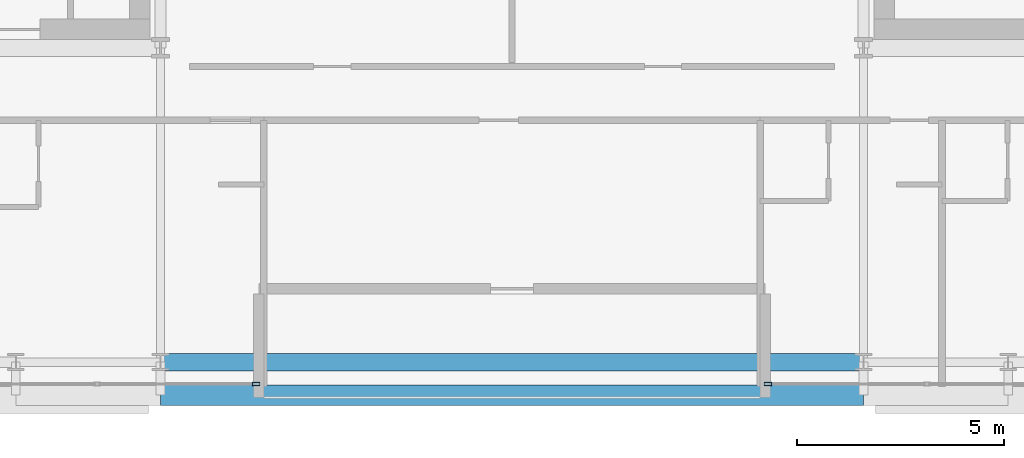
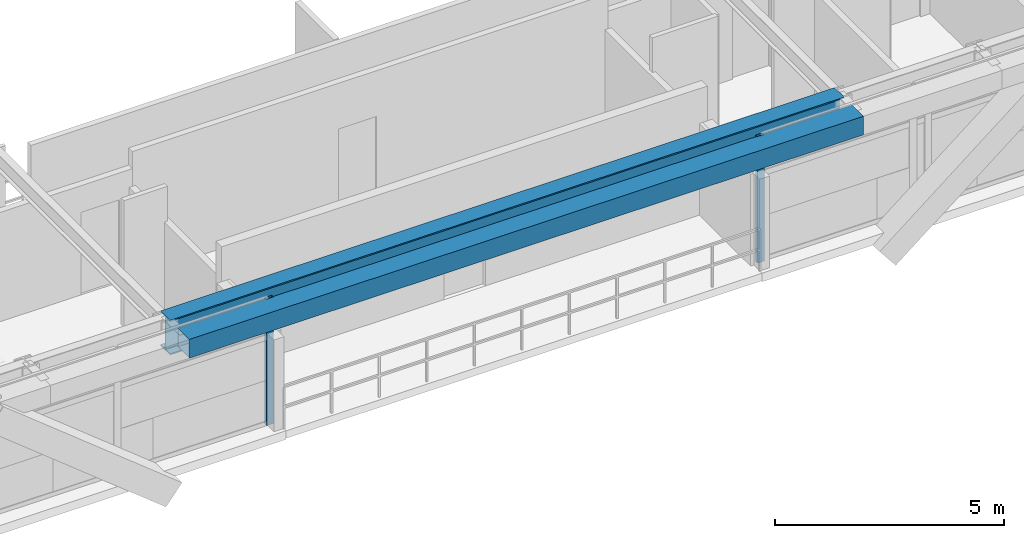
# One storey, part 6 of 31: 2 beams, 2 members, 2 elements without a shape of their own.
"""IFC4 building model written with IfcOpenShell, lengths in metres."""

from ifc_helpers import new_model, si_unit, direction, frame, origin, origin_2d, place, context, subcontext, project, spatial, hollow_rectangle, i_section, extrude, source, transform, mapped, material, layer, layer_set, material_profile, profile_set, type_object, element, aggregate, save


model = new_model("IFC4")

# Units and contexts
model_context = context("Model", 3, precision=1e-05, world=origin(), true_north=direction((0.0, 1.0)))
body_context = subcontext(model_context, "Body", "Model", "MODEL_VIEW")
ifc_project = project(units=[si_unit("LENGTHUNIT", "METRE"), si_unit("AREAUNIT", "SQUARE_METRE"), si_unit("VOLUMEUNIT", "CUBIC_METRE"), si_unit("PLANEANGLEUNIT", "RADIAN"), si_unit("MASSUNIT", "GRAM", prefix="KILO")], contexts=[model_context])

# Site, building, storey
site_placement = place(None, origin())
site = spatial("IfcSite", under=ifc_project, at=site_placement, CompositionType="ELEMENT")
building_placement = place(site_placement, origin())
building = spatial("IfcBuilding", under=site, at=building_placement, Name="Ocotamira Hotel", CompositionType="ELEMENT")
storey_placement = place(building_placement, frame((0.0, 0.0, 210.0)))
storey = spatial("IfcBuildingStorey", under=building, at=storey_placement, Name="L53", CompositionType="ELEMENT", Elevation=210.0)

# Beams
ifc_material_1 = material(Name="Steel ASTM A992 Grade 50", Category="steel")
ifc_material_profile_1 = material_profile(ifc_material_1, i_section(OverallWidth=0.41796875, OverallDepth=0.927001953125, WebThickness=0.019287109375, FlangeThickness=0.031982421875, FilletRadius=0.02392578125, at=origin_2d()), Name="W36X231")
ifc_profile_set_1 = profile_set([ifc_material_profile_1], Name="Steel ASTM A992 Grade 50")
beam_type_1 = type_object("IfcBeamType", Name="BM-GIRD-W36X231", PredefinedType="BEAM", material=ifc_profile_set_1)
shared_shape_1 = source(origin(), body_context, "Body", "SweptSolid", [
    extrude(i_section(OverallWidth=0.41796875, OverallDepth=0.927001953125, WebThickness=0.019287109375, FlangeThickness=0.031982421875, FilletRadius=0.02392578125, at=origin_2d()), origin(), (0.0, 0.0, 1.0), 17.0),
])
beam_1_placement = place(storey_placement, frame((23.5, 6.949951171875, 2.906494140625), z_axis=(1.0, 0.0, 0.0), x_axis=(0.0, 1.0, 0.0)))
element("IfcBeam", 1, at=beam_1_placement, inside=storey, type_object=beam_type_1, Name="L53 Girder Y6.95 X23.5-40.5", PredefinedType="BEAM", context=body_context, shape_type="MappedRepresentation", body=[
    mapped(shared_shape_1, transform((0.0, 0.0, 0.0), scale=1.0)),
])
ifc_material_2 = material(Name="Steel ASTM A500 Grade C", Category="steel")
ifc_material_profile_2 = material_profile(ifc_material_2, hollow_rectangle(XDim=0.5, YDim=0.5, WallThickness=0.02001953125, at=origin_2d()), Name="HSS500X500X20")
ifc_profile_set_2 = profile_set([ifc_material_profile_2], Name="Steel ASTM A500 Grade C")
beam_type_2 = type_object("IfcBeamType", Name="BM-SPAN-HSS500", PredefinedType="USERDEFINED", material=ifc_profile_set_2)
shared_shape_2 = source(origin(), body_context, "Body", "SweptSolid", [
    extrude(hollow_rectangle(XDim=0.5, YDim=0.5, WallThickness=0.02001953125, at=origin_2d()), origin(), (0.0, 0.0, 1.0), 17.0),
])
beam_2_placement = place(storey_placement, frame((23.5, 6.14990234375, 3.1201171875), z_axis=(1.0, 0.0, 0.0), x_axis=(0.0, 1.0, 0.0)))
element("IfcBeam", 2, at=beam_2_placement, inside=storey, type_object=beam_type_2, Name="L53 Edge Spandrel S X23.5-40.5", ObjectType="SPANDREL", PredefinedType="USERDEFINED", context=body_context, shape_type="MappedRepresentation", body=[
    mapped(shared_shape_2, transform((0.0, 0.0, 0.0), scale=1.0)),
])

# Curtain wall, member
ifc_material_3 = material(Name="Anodised pale-metal aluminium and solar glass", Category="aluminium")
ifc_layer = layer(ifc_material_3, 0.199951171875)
ifc_layer_set = layer_set([ifc_layer], Name="Anodised pale-metal aluminium and solar glass")
curtain_wall_type = type_object("IfcCurtainWallType", Name="CW-SYS4-Z3", PredefinedType="NOTDEFINED", material=ifc_layer_set)
curtain_wall_1_placement = place(storey_placement, origin())
curtain_wall_1 = element("IfcCurtainWall", 3, at=curtain_wall_1_placement, inside=storey, type_object=curtain_wall_type, Name="L53 Curtain Wall CW-4 CW-L53-S1", PredefinedType="NOTDEFINED")
ifc_material_4 = material(Name="Anodised pale-metal aluminium 6063-T6", Category="aluminium")
ifc_material_profile_3 = material_profile(ifc_material_4, hollow_rectangle(XDim=0.080078125, YDim=0.179931640625, WallThickness=0.006103515625, at=origin_2d()), Name="HSS180X80X6")
ifc_profile_set_3 = profile_set([ifc_material_profile_3], Name="Anodised pale-metal aluminium 6063-T6")
member_type = type_object("IfcMemberType", Name="CWM-180X75", PredefinedType="MULLION", material=ifc_profile_set_3)
shared_shape_3 = source(origin(), body_context, "Body", "SweptSolid", [
    extrude(hollow_rectangle(XDim=0.080078125, YDim=0.179931640625, WallThickness=0.006103515625, at=origin_2d()), origin(), (0.0, 0.0, 1.0), 3.3701171875),
])
member_1_placement = place(storey_placement, frame((25.81005859375, 6.419921875, 0.0), z_axis=(0.0, 0.0, 1.0), x_axis=(0.0, 1.0, 0.0)))
member_1 = element("IfcMember", 4, at=member_1_placement, type_object=member_type, Name="CW-4 mullion 4", PredefinedType="MULLION", context=body_context, shape_type="MappedRepresentation", body=[
    mapped(shared_shape_3, transform((0.0, 0.0, 0.0), scale=1.0)),
])
aggregate(curtain_wall_1, [member_1])

curtain_wall_2_placement = place(storey_placement, origin())
curtain_wall_2 = element("IfcCurtainWall", 5, at=curtain_wall_2_placement, inside=storey, type_object=curtain_wall_type, Name="L53 Curtain Wall CW-4 CW-L53-S2", PredefinedType="NOTDEFINED")
member_2_placement = place(storey_placement, frame((38.18994140625, 6.419921875, 0.0), z_axis=(0.0, 0.0, 1.0), x_axis=(0.0, 1.0, 0.0)))
member_2 = element("IfcMember", 6, at=member_2_placement, type_object=member_type, Name="CW-4 mullion 1", PredefinedType="MULLION", context=body_context, shape_type="MappedRepresentation", body=[
    mapped(shared_shape_3, transform((0.0, 0.0, 0.0), scale=1.0)),
])
aggregate(curtain_wall_2, [member_2])

save(model, "model.ifc")
